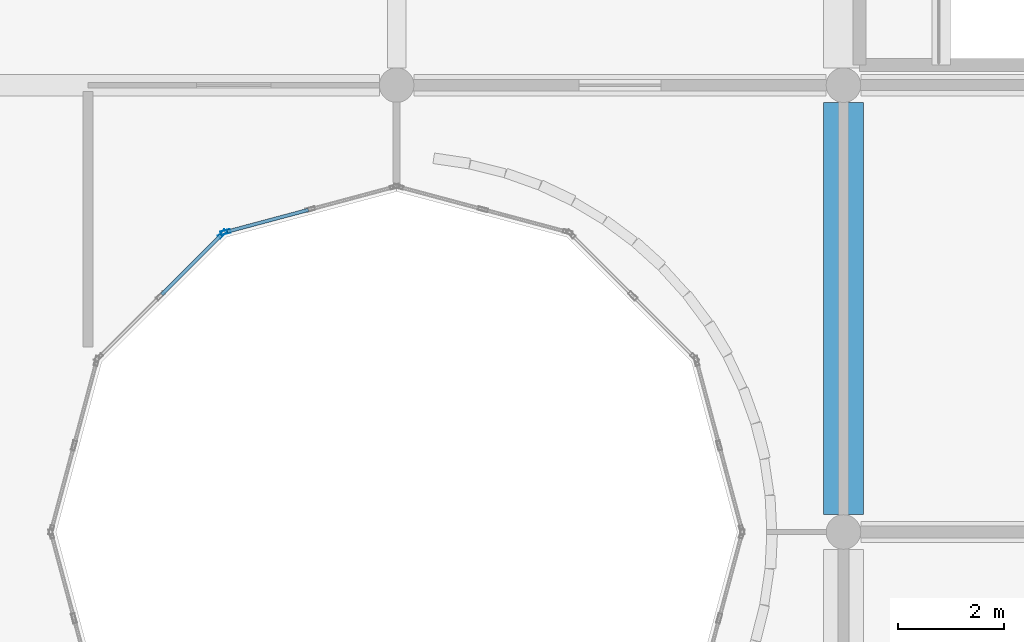
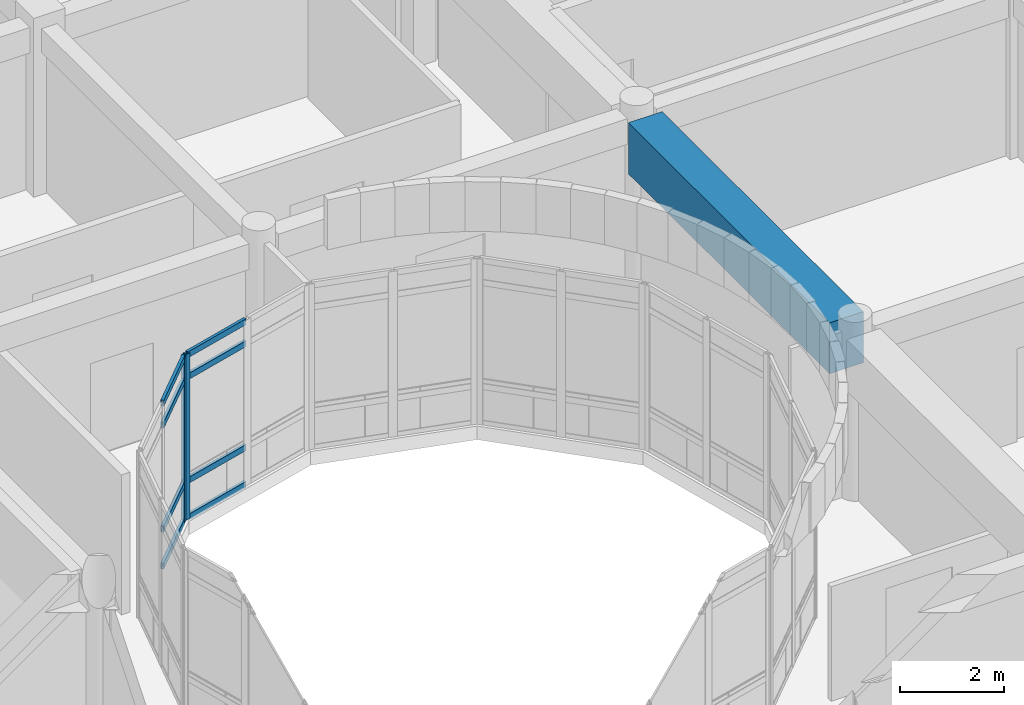
# One storey, part 40 of 119: 10 members, 1 beam, 2 elements without a shape of their own.
"""IFC4 building model written with IfcOpenShell, lengths in metres."""

from ifc_helpers import new_model, si_unit, direction, frame, origin, origin_2d, place, context, subcontext, project, spatial, rectangle, hollow_rectangle, extrude, material, layer, layer_set, material_profile, profile_set, type_object, element, aggregate, save


model = new_model("IFC4")

# Units and contexts
model_context = context("Model", 3, precision=1e-05, world=origin(), true_north=direction((0.0, 1.0)))
body_context = subcontext(model_context, "Body", "Model", "MODEL_VIEW")
ifc_project = project(units=[si_unit("LENGTHUNIT", "METRE"), si_unit("AREAUNIT", "SQUARE_METRE"), si_unit("VOLUMEUNIT", "CUBIC_METRE"), si_unit("PLANEANGLEUNIT", "RADIAN"), si_unit("MASSUNIT", "GRAM", prefix="KILO")], contexts=[model_context])

# Site, building, storey
site_placement = place(None, origin())
site = spatial("IfcSite", under=ifc_project, at=site_placement, CompositionType="ELEMENT")
building_placement = place(site_placement, origin())
building = spatial("IfcBuilding", under=site, at=building_placement, Name="Bramfleet General Hospital", CompositionType="ELEMENT")
storey_placement = place(building_placement, frame((0.0, 0.0, 14.39990234375)))
storey = spatial("IfcBuildingStorey", under=building, at=storey_placement, Name="L03", CompositionType="ELEMENT", Elevation=14.39990234375)

# Beam
ifc_material_1 = material(Name="Concrete C40/50", Category="concrete")
ifc_material_profile_1 = material_profile(ifc_material_1, rectangle(XDim=0.75, YDim=1.199951171875, at=origin_2d()), Name="RC TG 1200x750")
ifc_profile_set_1 = profile_set([ifc_material_profile_1], Name="Concrete C40/50")
beam_type = type_object("IfcBeamType", Name="BM-TG1200", PredefinedType="BEAM", material=ifc_profile_set_1)
beam_placement = place(storey_placement, frame((126.0, 67.52490234375, 3.300048828125), z_axis=(0.0, 1.0, 0.0), x_axis=(-1.0, 0.0, 0.0)))
element("IfcBeam", 1, at=beam_placement, inside=storey, type_object=beam_type, Name="L03 Transfer Girder Y 15-08", PredefinedType="BEAM", context=body_context, shape_type="SweptSolid", body=[
    extrude(rectangle(XDim=0.75, YDim=1.199951171875, at=origin_2d()), origin(), (0.0, 0.0, 1.0), 7.75),
])

# Curtain wall, member
ifc_material_2 = material(Name="Anodised aluminium and low-E triple glazing", Category="aluminium")
ifc_layer_1 = layer(ifc_material_2, 0.179931640625, Name="CWT-CW-18")
ifc_layer_set_1 = layer_set([ifc_layer_1], Name="Anodised aluminium and low-E triple glazing")
curtain_wall_type_1 = type_object("IfcCurtainWallType", Name="CWT-CW-18", PredefinedType="USERDEFINED", material=ifc_layer_set_1)
curtain_wall_1_placement = place(storey_placement, origin())
curtain_wall_1 = element("IfcCurtainWall", 2, at=curtain_wall_1_placement, inside=storey, type_object=curtain_wall_type_1, Name="L03 East Laboratory Light Court Curtain Wall 10.1", ObjectType="Stick curtain wall", PredefinedType="USERDEFINED")
ifc_material_3 = material(Name="Anodised aluminium EN AW-6060", Category="aluminium")
ifc_material_profile_2 = material_profile(ifc_material_3, hollow_rectangle(XDim=0.070068359375, YDim=0.179931640625, WallThickness=0.00390625, at=origin_2d()), Name="ALU 180x70x4.0")
ifc_profile_set_2 = profile_set([ifc_material_profile_2], Name="Anodised aluminium EN AW-6060")
member_type_1 = type_object("IfcMemberType", Name="CWM-ALU180", PredefinedType="MULLION", material=ifc_profile_set_2)
member_1_placement = place(storey_placement, frame((114.3837890625, 72.838134765625, 0.0), z_axis=(0.0, 0.0, 1.0), x_axis=(0.258864833085, -0.965913556273, 0.0)))
member_1 = element("IfcMember", 3, at=member_1_placement, type_object=member_type_1, Name="CW-18 mullion 3", PredefinedType="MULLION", context=body_context, shape_type="SweptSolid", body=[
    extrude(hollow_rectangle(XDim=0.070068359375, YDim=0.179931640625, WallThickness=0.00390625, at=origin_2d()), origin(), (0.0, 0.0, 1.0), 3.89013671875),
])

ifc_layer_2 = layer(ifc_material_2, 0.179931640625, Name="CWT-CW-11")
ifc_layer_set_2 = layer_set([ifc_layer_2], Name="Anodised aluminium and low-E triple glazing")
curtain_wall_type_2 = type_object("IfcCurtainWallType", Name="CWT-CW-11", PredefinedType="USERDEFINED", material=ifc_layer_set_2)
curtain_wall_2_placement = place(storey_placement, origin())
curtain_wall_2 = element("IfcCurtainWall", 4, at=curtain_wall_2_placement, inside=storey, type_object=curtain_wall_type_2, Name="L03 East Laboratory Light Court Curtain Wall 11.1", ObjectType="Stick curtain wall", PredefinedType="USERDEFINED")
member_2_placement = place(storey_placement, frame((114.3251953125, 72.80419921875, 0.0), z_axis=(0.0, 0.0, 1.0), x_axis=(0.707106781187, -0.707106781187, 0.0)))
member_2 = element("IfcMember", 5, at=member_2_placement, type_object=member_type_1, Name="CW-11 mullion 1", PredefinedType="MULLION", context=body_context, shape_type="SweptSolid", body=[
    extrude(hollow_rectangle(XDim=0.070068359375, YDim=0.179931640625, WallThickness=0.00390625, at=origin_2d()), origin(), (0.0, 0.0, 1.0), 3.89013671875),
])

# Member
ifc_material_profile_3 = material_profile(ifc_material_3, hollow_rectangle(XDim=0.06494140625, YDim=0.139892578125, WallThickness=0.00390625, at=origin_2d()), Name="ALU 140x65x4.0")
ifc_profile_set_3 = profile_set([ifc_material_profile_3], Name="Anodised aluminium EN AW-6060")
member_type_2 = type_object("IfcMemberType", Name="CWT-ALU140", PredefinedType="USERDEFINED", material=ifc_profile_set_3)
member_3_placement = place(storey_placement, frame((115.941162109375, 73.25537109375, 0.03271484375), z_axis=(-0.965925940868, -0.258818617489, 0.0), x_axis=(0.258818617489, -0.965925940868, 0.0)))
member_3 = element("IfcMember", 6, at=member_3_placement, type_object=member_type_2, Name="CW-18 transom 2.1", ObjectType="TRANSOM", PredefinedType="USERDEFINED", context=body_context, shape_type="SweptSolid", body=[
    extrude(hollow_rectangle(XDim=0.06494140625, YDim=0.139892578125, WallThickness=0.00390625, at=origin_2d()), origin(), (0.0, 0.0, 1.0), 1.5771484375),
])

member_4_placement = place(storey_placement, frame((115.941162109375, 73.25537109375, 0.900146484375), z_axis=(-0.965925940868, -0.258818617489, 0.0), x_axis=(0.258818617489, -0.965925940868, 0.0)))
member_4 = element("IfcMember", 7, at=member_4_placement, type_object=member_type_2, Name="CW-18 transom 2.2", ObjectType="TRANSOM", PredefinedType="USERDEFINED", context=body_context, shape_type="SweptSolid", body=[
    extrude(hollow_rectangle(XDim=0.06494140625, YDim=0.139892578125, WallThickness=0.00390625, at=origin_2d()), origin(), (0.0, 0.0, 1.0), 1.5771484375),
])

member_5_placement = place(storey_placement, frame((115.941162109375, 73.25537109375, 3.340087890625), z_axis=(-0.965925940868, -0.258818617489, 0.0), x_axis=(0.258818617489, -0.965925940868, 0.0)))
member_5 = element("IfcMember", 8, at=member_5_placement, type_object=member_type_2, Name="CW-18 transom 2.3", ObjectType="TRANSOM", PredefinedType="USERDEFINED", context=body_context, shape_type="SweptSolid", body=[
    extrude(hollow_rectangle(XDim=0.06494140625, YDim=0.139892578125, WallThickness=0.00390625, at=origin_2d()), origin(), (0.0, 0.0, 1.0), 1.5771484375),
])

member_6_placement = place(storey_placement, frame((115.941162109375, 73.25537109375, 3.857666015625), z_axis=(-0.965925940868, -0.258818617489, 0.0), x_axis=(0.258818617489, -0.965925940868, 0.0)))
member_6 = element("IfcMember", 9, at=member_6_placement, type_object=member_type_2, Name="CW-18 transom 2.4", ObjectType="TRANSOM", PredefinedType="USERDEFINED", context=body_context, shape_type="SweptSolid", body=[
    extrude(hollow_rectangle(XDim=0.06494140625, YDim=0.139892578125, WallThickness=0.00390625, at=origin_2d()), origin(), (0.0, 0.0, 1.0), 1.5771484375),
])

aggregate(curtain_wall_1, [member_1, member_3, member_4, member_5, member_6])

member_7_placement = place(storey_placement, frame((114.300537109375, 72.779541015625, 0.03271484375), z_axis=(-0.707106781187, -0.707106781187, 0.0), x_axis=(0.707106781187, -0.707106781187, 0.0)))
member_7 = element("IfcMember", 10, at=member_7_placement, type_object=member_type_2, Name="CW-11 transom 1.1", ObjectType="TRANSOM", PredefinedType="USERDEFINED", context=body_context, shape_type="SweptSolid", body=[
    extrude(hollow_rectangle(XDim=0.06494140625, YDim=0.139892578125, WallThickness=0.00390625, at=origin_2d()), origin(), (0.0, 0.0, 1.0), 1.5771484375),
])

member_8_placement = place(storey_placement, frame((114.300537109375, 72.779541015625, 0.900146484375), z_axis=(-0.707106781187, -0.707106781187, 0.0), x_axis=(0.707106781187, -0.707106781187, 0.0)))
member_8 = element("IfcMember", 11, at=member_8_placement, type_object=member_type_2, Name="CW-11 transom 1.2", ObjectType="TRANSOM", PredefinedType="USERDEFINED", context=body_context, shape_type="SweptSolid", body=[
    extrude(hollow_rectangle(XDim=0.06494140625, YDim=0.139892578125, WallThickness=0.00390625, at=origin_2d()), origin(), (0.0, 0.0, 1.0), 1.5771484375),
])

member_9_placement = place(storey_placement, frame((114.300537109375, 72.779541015625, 3.340087890625), z_axis=(-0.707106781187, -0.707106781187, 0.0), x_axis=(0.707106781187, -0.707106781187, 0.0)))
member_9 = element("IfcMember", 12, at=member_9_placement, type_object=member_type_2, Name="CW-11 transom 1.3", ObjectType="TRANSOM", PredefinedType="USERDEFINED", context=body_context, shape_type="SweptSolid", body=[
    extrude(hollow_rectangle(XDim=0.06494140625, YDim=0.139892578125, WallThickness=0.00390625, at=origin_2d()), origin(), (0.0, 0.0, 1.0), 1.5771484375),
])

member_10_placement = place(storey_placement, frame((114.300537109375, 72.779541015625, 3.857666015625), z_axis=(-0.707106781187, -0.707106781187, 0.0), x_axis=(0.707106781187, -0.707106781187, 0.0)))
member_10 = element("IfcMember", 13, at=member_10_placement, type_object=member_type_2, Name="CW-11 transom 1.4", ObjectType="TRANSOM", PredefinedType="USERDEFINED", context=body_context, shape_type="SweptSolid", body=[
    extrude(hollow_rectangle(XDim=0.06494140625, YDim=0.139892578125, WallThickness=0.00390625, at=origin_2d()), origin(), (0.0, 0.0, 1.0), 1.5771484375),
])

aggregate(curtain_wall_2, [member_2, member_7, member_8, member_9, member_10])

save(model, "model.ifc")
